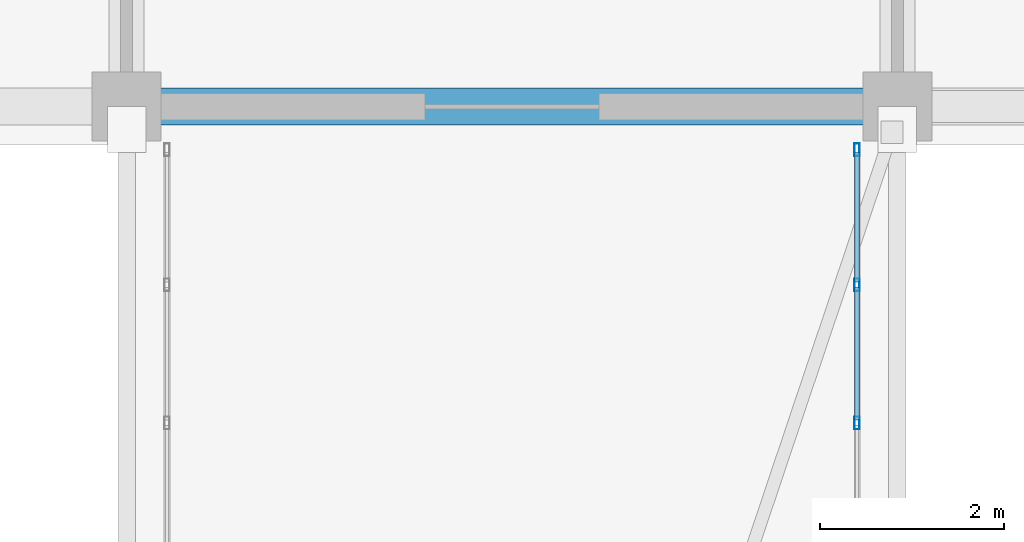
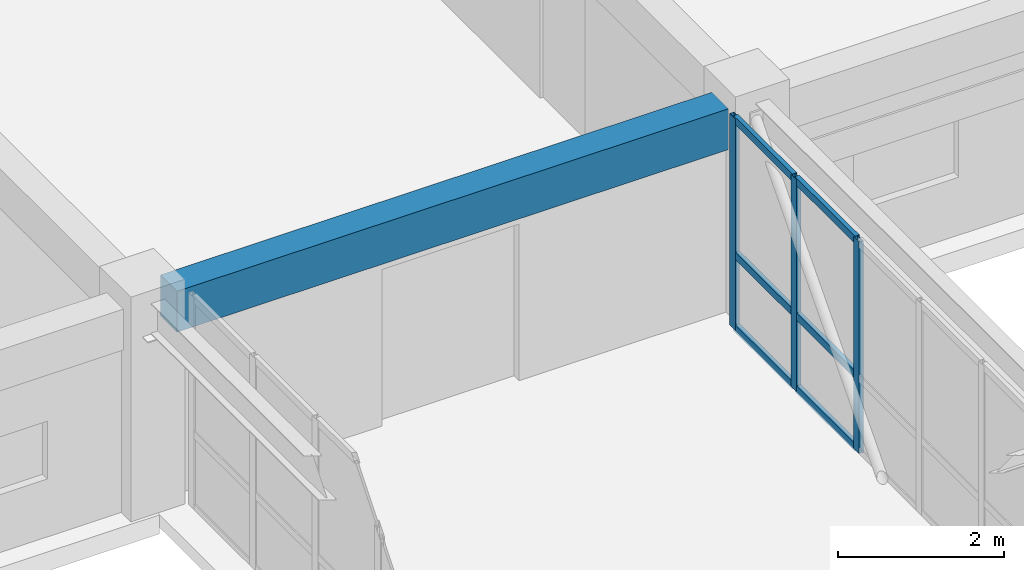
# One storey, part 107 of 200: 9 members, 1 beam, 1 element without a shape of its own.
"""IFC4 building model written with IfcOpenShell, lengths in metres."""

from ifc_helpers import new_model, si_unit, direction, frame, origin, origin_2d, place, context, subcontext, project, spatial, rectangle, hollow_rectangle, extrude, material, layer, layer_set, material_profile, profile_set, type_object, element, aggregate, save


model = new_model("IFC4")

# Units and contexts
model_context = context("Model", 3, precision=1e-05, world=origin(), true_north=direction((0.0, 1.0)))
body_context = subcontext(model_context, "Body", "Model", "MODEL_VIEW")
ifc_project = project(units=[si_unit("LENGTHUNIT", "METRE"), si_unit("AREAUNIT", "SQUARE_METRE"), si_unit("VOLUMEUNIT", "CUBIC_METRE"), si_unit("PLANEANGLEUNIT", "RADIAN"), si_unit("MASSUNIT", "GRAM", prefix="KILO")], contexts=[model_context])

# Site, building, storey
site_placement = place(None, origin())
site = spatial("IfcSite", under=ifc_project, at=site_placement, CompositionType="ELEMENT")
building_placement = place(site_placement, origin())
building = spatial("IfcBuilding", under=site, at=building_placement, Name="Trelvath General Hospital", CompositionType="ELEMENT")
storey_placement = place(building_placement, frame((0.0, 0.0, 4.800048828125)))
storey = spatial("IfcBuildingStorey", under=building, at=storey_placement, Name="L01", CompositionType="ELEMENT", Elevation=4.800048828125)

# Beam
ifc_material_1 = material(Name="Concrete C35/45", Category="concrete")
ifc_material_profile_1 = material_profile(ifc_material_1, rectangle(XDim=0.39990234375, YDim=0.60009765625, at=origin_2d()), Name="RCB400x600")
ifc_profile_set_1 = profile_set([ifc_material_profile_1], Name="Concrete C35/45")
beam_type = type_object("IfcBeamType", Name="Beam RC400x600", PredefinedType="BEAM", material=ifc_profile_set_1)
beam_placement = place(storey_placement, frame((75.969970703125, 92.39990234375, 2.719970703125), z_axis=(1.0, 0.0, 0.0), x_axis=(0.0, 1.0, 0.0)))
element("IfcBeam", 1, at=beam_placement, inside=storey, type_object=beam_type, Name="Grid Beam BX-109L", PredefinedType="BEAM", context=body_context, shape_type="SweptSolid", body=[
    extrude(rectangle(XDim=0.39990234375, YDim=0.60009765625, at=origin_2d()), origin(), (0.0, 0.0, 1.0), 7.659912109375),
])

# Curtain wall, members
ifc_material_2 = material(Name="Anodised aluminium and low-E glass", Category="aluminium")
ifc_layer = layer(ifc_material_2, 0.139892578125)
ifc_layer_set = layer_set([ifc_layer], Name="Anodised aluminium and low-E glass")
curtain_wall_type = type_object("IfcCurtainWallType", Name="CW Bridge 752 311", PredefinedType="USERDEFINED", material=ifc_layer_set)
curtain_wall_placement = place(storey_placement, origin())
curtain_wall = element("IfcCurtainWall", 2, at=curtain_wall_placement, inside=storey, type_object=curtain_wall_type, Name="Glazed Bridge Curtain Wall BRG-N-C E L01", ObjectType="Unitised Glazed Curtain Wall", PredefinedType="USERDEFINED")
ifc_material_3 = material(Name="Anodised aluminium", Category="aluminium")
ifc_material_profile_2 = material_profile(ifc_material_3, hollow_rectangle(XDim=0.06005859375, YDim=0.139892578125, WallThickness=0.00390625, at=origin_2d()), Name="RHS60x140x4")
ifc_profile_set_2 = profile_set([ifc_material_profile_2], Name="Anodised aluminium")
member_type_1 = type_object("IfcMemberType", Name="CurtainMullion 60x140", PredefinedType="MULLION", material=ifc_profile_set_2)
member_1_placement = place(storey_placement, frame((83.56005859375, 91.929931640625, 0.0), z_axis=(0.0, 0.0, 1.0), x_axis=(1.0, 0.0, 0.0)))
member_1 = element("IfcMember", 3, at=member_1_placement, type_object=member_type_1, Name="CW-177 mullion 1", PredefinedType="MULLION", context=body_context, shape_type="SweptSolid", body=[
    extrude(hollow_rectangle(XDim=0.06005859375, YDim=0.139892578125, WallThickness=0.00390625, at=origin_2d()), origin(), (0.0, 0.0, 1.0), 3.10986328125),
])
member_2_placement = place(storey_placement, frame((83.56005859375, 90.4560546875, 0.0), z_axis=(0.0, 0.0, 1.0), x_axis=(1.0, 0.0, 0.0)))
member_2 = element("IfcMember", 4, at=member_2_placement, type_object=member_type_1, Name="CW-177 mullion 2", PredefinedType="MULLION", context=body_context, shape_type="SweptSolid", body=[
    extrude(hollow_rectangle(XDim=0.06005859375, YDim=0.139892578125, WallThickness=0.00390625, at=origin_2d()), origin(), (0.0, 0.0, 1.0), 3.10986328125),
])
member_3_placement = place(storey_placement, frame((83.56005859375, 88.951904296875, 0.0), z_axis=(0.0, 0.0, 1.0), x_axis=(1.0, 0.0, 0.0)))
member_3 = element("IfcMember", 5, at=member_3_placement, type_object=member_type_1, Name="CW-177 mullion 3", PredefinedType="MULLION", context=body_context, shape_type="SweptSolid", body=[
    extrude(hollow_rectangle(XDim=0.06005859375, YDim=0.139892578125, WallThickness=0.00390625, at=origin_2d()), origin(), (0.0, 0.0, 1.0), 3.10986328125),
])
ifc_material_4 = material(Name="Anodised aluminium", Category="aluminium")
ifc_material_profile_3 = material_profile(ifc_material_4, hollow_rectangle(XDim=0.06005859375, YDim=0.110107421875, WallThickness=0.00390625, at=origin_2d()), Name="RHS60x110x4")
ifc_profile_set_3 = profile_set([ifc_material_profile_3], Name="Anodised aluminium")
member_type_2 = type_object("IfcMemberType", Name="CurtainTransom 60x110", PredefinedType="USERDEFINED", material=ifc_profile_set_3)
member_4_placement = place(storey_placement, frame((83.56005859375, 91.89990234375, 0.030029296875), z_axis=(0.0, -1.0, 0.0), x_axis=(1.0, 0.0, 0.0)))
member_4 = element("IfcMember", 6, at=member_4_placement, type_object=member_type_2, Name="CW-177 transom 1.1", ObjectType="TRANSOM", PredefinedType="USERDEFINED", context=body_context, shape_type="SweptSolid", body=[
    extrude(hollow_rectangle(XDim=0.06005859375, YDim=0.110107421875, WallThickness=0.00390625, at=origin_2d()), origin(), (0.0, 0.0, 1.0), 1.413818359375),
])
member_5_placement = place(storey_placement, frame((83.56005859375, 91.89990234375, 1.099853515625), z_axis=(0.0, -1.0, 0.0), x_axis=(1.0, 0.0, 0.0)))
member_5 = element("IfcMember", 7, at=member_5_placement, type_object=member_type_2, Name="CW-177 transom 1.2", ObjectType="TRANSOM", PredefinedType="USERDEFINED", context=body_context, shape_type="SweptSolid", body=[
    extrude(hollow_rectangle(XDim=0.06005859375, YDim=0.110107421875, WallThickness=0.00390625, at=origin_2d()), origin(), (0.0, 0.0, 1.0), 1.413818359375),
])
member_6_placement = place(storey_placement, frame((83.56005859375, 91.89990234375, 3.079833984375), z_axis=(0.0, -1.0, 0.0), x_axis=(1.0, 0.0, 0.0)))
member_6 = element("IfcMember", 8, at=member_6_placement, type_object=member_type_2, Name="CW-177 transom 1.3", ObjectType="TRANSOM", PredefinedType="USERDEFINED", context=body_context, shape_type="SweptSolid", body=[
    extrude(hollow_rectangle(XDim=0.06005859375, YDim=0.110107421875, WallThickness=0.00390625, at=origin_2d()), origin(), (0.0, 0.0, 1.0), 1.413818359375),
])
member_7_placement = place(storey_placement, frame((83.56005859375, 90.426025390625, 0.030029296875), z_axis=(0.0, -1.0, 0.0), x_axis=(1.0, 0.0, 0.0)))
member_7 = element("IfcMember", 9, at=member_7_placement, type_object=member_type_2, Name="CW-177 transom 2.1", ObjectType="TRANSOM", PredefinedType="USERDEFINED", context=body_context, shape_type="SweptSolid", body=[
    extrude(hollow_rectangle(XDim=0.06005859375, YDim=0.110107421875, WallThickness=0.00390625, at=origin_2d()), origin(), (0.0, 0.0, 1.0), 1.444091796875),
])
member_8_placement = place(storey_placement, frame((83.56005859375, 90.426025390625, 1.099853515625), z_axis=(0.0, -1.0, 0.0), x_axis=(1.0, 0.0, 0.0)))
member_8 = element("IfcMember", 10, at=member_8_placement, type_object=member_type_2, Name="CW-177 transom 2.2", ObjectType="TRANSOM", PredefinedType="USERDEFINED", context=body_context, shape_type="SweptSolid", body=[
    extrude(hollow_rectangle(XDim=0.06005859375, YDim=0.110107421875, WallThickness=0.00390625, at=origin_2d()), origin(), (0.0, 0.0, 1.0), 1.444091796875),
])
member_9_placement = place(storey_placement, frame((83.56005859375, 90.426025390625, 3.079833984375), z_axis=(0.0, -1.0, 0.0), x_axis=(1.0, 0.0, 0.0)))
member_9 = element("IfcMember", 11, at=member_9_placement, type_object=member_type_2, Name="CW-177 transom 2.3", ObjectType="TRANSOM", PredefinedType="USERDEFINED", context=body_context, shape_type="SweptSolid", body=[
    extrude(hollow_rectangle(XDim=0.06005859375, YDim=0.110107421875, WallThickness=0.00390625, at=origin_2d()), origin(), (0.0, 0.0, 1.0), 1.444091796875),
])
aggregate(curtain_wall, [member_1, member_2, member_3, member_4, member_5, member_6, member_7, member_8, member_9])

save(model, "model.ifc")
